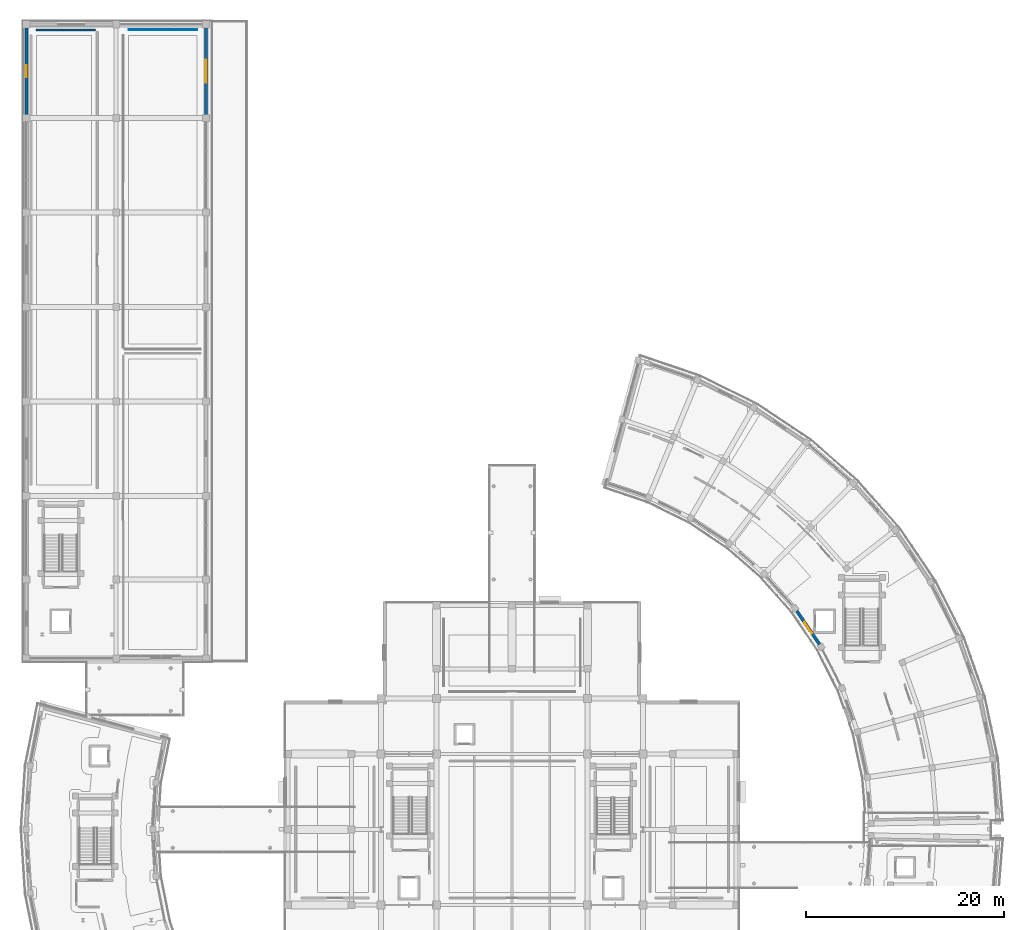
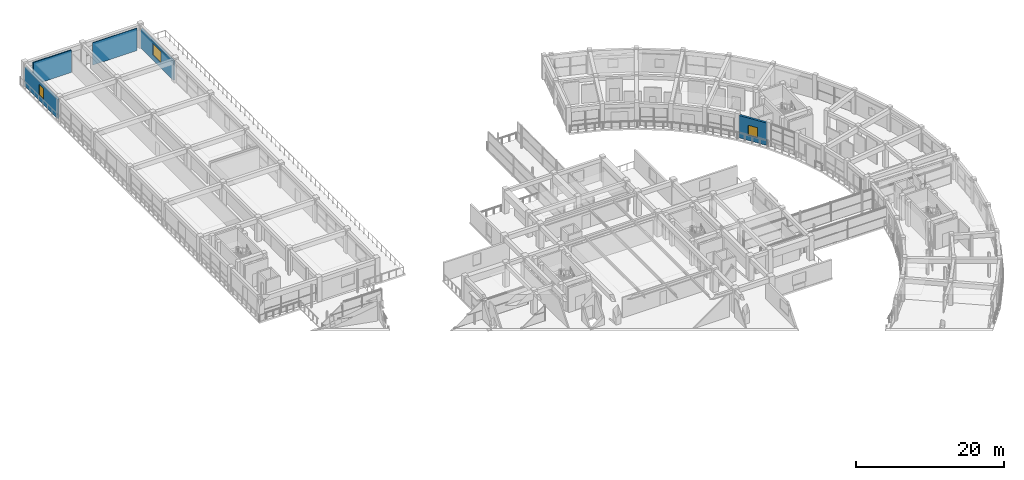
# One storey, part 52 of 70: 5 walls, 3 windows, 3 openings.
"""IFC4 building model written with IfcOpenShell, lengths in metres."""

from ifc_helpers import new_model, si_unit, direction, frame, frame_2d, origin, place, context, subcontext, project, spatial, rectangle, extrude, material, layer, layer_set, type_object, element, fill, save


model = new_model("IFC4")

# Units and contexts
model_context = context("Model", 3, precision=1e-05, world=origin(), true_north=direction((0.0, 1.0)))
body_context = subcontext(model_context, "Body", "Model", "MODEL_VIEW")
ifc_project = project(units=[si_unit("LENGTHUNIT", "METRE"), si_unit("AREAUNIT", "SQUARE_METRE"), si_unit("VOLUMEUNIT", "CUBIC_METRE"), si_unit("PLANEANGLEUNIT", "RADIAN"), si_unit("MASSUNIT", "GRAM", prefix="KILO")], contexts=[model_context])

# Site, building, storey
site_placement = place(None, origin())
site = spatial("IfcSite", under=ifc_project, at=site_placement, CompositionType="ELEMENT")
building_placement = place(site_placement, origin())
building = spatial("IfcBuilding", under=site, at=building_placement, Name="Saryqyr Civic Hall", CompositionType="ELEMENT")
storey_placement = place(building_placement, frame((0.0, 0.0, 13.199951171875)))
storey = spatial("IfcBuildingStorey", under=building, at=storey_placement, Name="L03", CompositionType="ELEMENT", Elevation=13.199951171875)

# Wall, opening, window
ifc_material_1 = material(Name="Precast concrete C40/50", Category="concrete")
ifc_layer_1 = layer(ifc_material_1, 0.27001953125, Name="Precast concrete C40/50")
ifc_layer_set_1 = layer_set([ifc_layer_1], Name="Precast concrete C40/50")
wall_type_1 = type_object("IfcWallType", Name="ENV-WAL-EXT-270", PredefinedType="STANDARD", material=ifc_layer_set_1)
wall_1_placement = place(storey_placement, frame((26.14990234375, 164.864990234375, 0.0), z_axis=(0.0, 0.0, 1.0), x_axis=(0.0, -1.0, 0.0)))
wall_1 = element("IfcWall", 1, at=wall_1_placement, inside=storey, type_object=wall_type_1, Name="Exterior wall V3-EW-L03-1-0", PredefinedType="STANDARD", context=body_context, shape_type="SweptSolid", body=[
    extrude(rectangle(XDim=8.860107421875, YDim=0.27001953125, at=frame_2d((4.43017578125, 0.0))), origin(), (0.0, 0.0, 1.0), 3.1650390625),
])
opening_1_placement = place(wall_1_placement, frame((3.280029296875, 0.0, 0.85009765625)))
opening_1 = element("IfcOpeningElement", 2, at=opening_1_placement, cuts=wall_1, Name="Opening W-29", PredefinedType="OPENING", context=body_context, shape_type="SweptSolid", body=[
    extrude(rectangle(XDim=2.300048828125, YDim=1.85009765625, at=frame_2d((1.14990234375, 0.925048828125))), frame((0.0, 0.14501953125, 0.0), z_axis=(0.0, -1.0, 0.0), x_axis=(1.0, 0.0, 0.0)), (0.0, 0.0, 1.0), 0.2900390625),
])
ifc_material_2 = material(Name="Anodised aluminium and triple low-E glass", Category="aluminium")
window_type_1 = type_object("IfcWindowType", Name="ENV-WIN-W29", PartitioningType="SINGLE_PANEL", PredefinedType="WINDOW", material=ifc_material_2)
window_1_placement = place(opening_1_placement, origin())
window_1 = element("IfcWindow", 3, at=window_1_placement, inside=storey, type_object=window_type_1, Name="Library window L03-1-0", OverallHeight=1.85009765625, OverallWidth=2.300048828125, PartitioningType="SINGLE_PANEL", PredefinedType="WINDOW", context=body_context, shape_type="SweptSolid", body=[
    extrude(rectangle(XDim=2.300048828125, YDim=1.85009765625, at=frame_2d((1.14990234375, 0.925048828125))), frame((0.0, 0.030029296875, 0.0), z_axis=(0.0, -1.0, 0.0), x_axis=(1.0, 0.0, 0.0)), (0.0, 0.0, 1.0), 0.06005859375),
])
fill(opening_1, window_1)

wall_2_placement = place(storey_placement, frame((8.050048828125, 156.0048828125, 0.0), z_axis=(0.0, 0.0, 1.0), x_axis=(0.0, 1.0, 0.0)))
wall_2 = element("IfcWall", 4, at=wall_2_placement, inside=storey, type_object=wall_type_1, Name="Exterior wall V3-EW-L03-3-6", PredefinedType="STANDARD", context=body_context, shape_type="SweptSolid", body=[
    extrude(rectangle(XDim=8.860107421875, YDim=0.27001953125, at=frame_2d((4.43017578125, 0.0))), origin(), (0.0, 0.0, 1.0), 3.1650390625),
])
opening_2_placement = place(wall_2_placement, frame((3.804931640625, 0.0, 0.85009765625)))
opening_2 = element("IfcOpeningElement", 5, at=opening_2_placement, cuts=wall_2, Name="Opening W-25", PredefinedType="OPENING", context=body_context, shape_type="SweptSolid", body=[
    extrude(rectangle(XDim=1.25, YDim=1.85009765625, at=frame_2d((0.625, 0.925048828125))), frame((0.0, 0.14501953125, 0.0), z_axis=(0.0, -1.0, 0.0), x_axis=(1.0, 0.0, 0.0)), (0.0, 0.0, 1.0), 0.2900390625),
])
window_type_2 = type_object("IfcWindowType", Name="ENV-WIN-W25", PartitioningType="SINGLE_PANEL", PredefinedType="WINDOW", material=ifc_material_2)
window_2_placement = place(opening_2_placement, origin())
window_2 = element("IfcWindow", 6, at=window_2_placement, inside=storey, type_object=window_type_2, Name="Library window L03-3-6", OverallHeight=1.85009765625, OverallWidth=1.25, PartitioningType="SINGLE_PANEL", PredefinedType="WINDOW", context=body_context, shape_type="SweptSolid", body=[
    extrude(rectangle(XDim=1.25, YDim=1.85009765625, at=frame_2d((0.625, 0.925048828125))), frame((0.0, 0.030029296875, 0.0), z_axis=(0.0, -1.0, 0.0), x_axis=(1.0, 0.0, 0.0)), (0.0, 0.0, 1.0), 0.06005859375),
])
fill(opening_2, window_2)

ifc_layer_2 = layer(ifc_material_1, 0.31005859375, Name="Precast concrete C40/50")
ifc_layer_set_2 = layer_set([ifc_layer_2], Name="Precast concrete C40/50")
wall_type_2 = type_object("IfcWallType", Name="ENV-WAL-EXT-310", PredefinedType="STANDARD", material=ifc_layer_set_2)
wall_3_placement = place(storey_placement, frame((88.00830078125, 102.64599609375, 0.0), z_axis=(0.0, 0.0, 1.0), x_axis=(-0.56312281457, 0.826373218171, 0.0)))
wall_3 = element("IfcWall", 7, at=wall_3_placement, inside=storey, type_object=wall_type_2, Name="Exterior wall V6-EWI-L03-04", PredefinedType="STANDARD", context=body_context, shape_type="SweptSolid", body=[
    extrude(rectangle(XDim=4.1064453125, YDim=0.31005859375, at=frame_2d((2.05322265625, 0.0))), origin(), (0.0, 0.0, 1.0), 3.699951171875),
])
opening_3_placement = place(wall_3_placement, frame((1.35302734375, 0.0, 0.85009765625)))
opening_3 = element("IfcOpeningElement", 8, at=opening_3_placement, cuts=wall_3, Name="Opening W-18", PredefinedType="OPENING", context=body_context, shape_type="SweptSolid", body=[
    extrude(rectangle(XDim=1.39990234375, YDim=1.64990234375, at=frame_2d((0.699951171875, 0.824951171875))), frame((0.0, 0.1650390625, 0.0), z_axis=(0.0, -1.0, 0.0), x_axis=(1.0, 0.0, 0.0)), (0.0, 0.0, 1.0), 0.330078125),
])
window_type_3 = type_object("IfcWindowType", Name="ENV-WIN-W18", PartitioningType="SINGLE_PANEL", PredefinedType="WINDOW", material=ifc_material_2)
window_3_placement = place(opening_3_placement, origin())
window_3 = element("IfcWindow", 9, at=window_3_placement, inside=storey, type_object=window_type_3, Name="Courtyard window V6-L03-04", OverallHeight=1.64990234375, OverallWidth=1.39990234375, PartitioningType="SINGLE_PANEL", PredefinedType="WINDOW", context=body_context, shape_type="SweptSolid", body=[
    extrude(rectangle(XDim=1.39990234375, YDim=1.64990234375, at=frame_2d((0.699951171875, 0.824951171875))), frame((0.0, 0.030029296875, 0.0), z_axis=(0.0, -1.0, 0.0), x_axis=(1.0, 0.0, 0.0)), (0.0, 0.0, 1.0), 0.06005859375),
])
fill(opening_3, window_3)

# Walls
ifc_material_3 = material(Name="Lightweight demountable partition", Category="gypsum")
ifc_layer_3 = layer(ifc_material_3, 0.094970703125, Name="Lightweight demountable partition")
ifc_layer_set_3 = layer_set([ifc_layer_3], Name="Lightweight demountable partition")
wall_type_3 = type_object("IfcWallType", Name="INT-WAL-PRT-095", PredefinedType="PARTITIONING", material=ifc_layer_set_3)
wall_4_placement = place(storey_placement, frame((18.35009765625, 164.60009765625, 0.0), z_axis=(0.0, 0.0, 1.0), x_axis=(1.0, 0.0, 0.0)))
element("IfcWall", 10, at=wall_4_placement, inside=storey, type_object=wall_type_3, Name="Interior partition PRT-SP-V3-L03-R02-W3", PredefinedType="PARTITIONING", context=body_context, shape_type="SweptSolid", body=[
    extrude(rectangle(XDim=6.89990234375, YDim=0.094970703125, at=frame_2d((3.449951171875, 0.0))), origin(), (0.0, 0.0, 1.0), 3.699951171875),
])
ifc_material_4 = material(Name="Acoustic double-stud gypsum board", Category="gypsum")
ifc_layer_4 = layer(ifc_material_4, 0.169921875, Name="Acoustic double-stud gypsum board")
ifc_layer_set_4 = layer_set([ifc_layer_4], Name="Acoustic double-stud gypsum board")
wall_type_4 = type_object("IfcWallType", Name="INT-WAL-PRT-170", PredefinedType="PARTITIONING", material=ifc_layer_set_4)
wall_5_placement = place(storey_placement, frame((9.050048828125, 164.60009765625, 0.0), z_axis=(0.0, 0.0, 1.0), x_axis=(1.0, 0.0, 0.0)))
element("IfcWall", 11, at=wall_5_placement, inside=storey, type_object=wall_type_4, Name="Interior partition PRT-SP-V3-L03-R03-W3", PredefinedType="PARTITIONING", context=body_context, shape_type="SweptSolid", body=[
    extrude(rectangle(XDim=5.949951171875, YDim=0.169921875, at=frame_2d((2.97509765625, 0.0))), origin(), (0.0, 0.0, 1.0), 3.699951171875),
])

save(model, "model.ifc")
